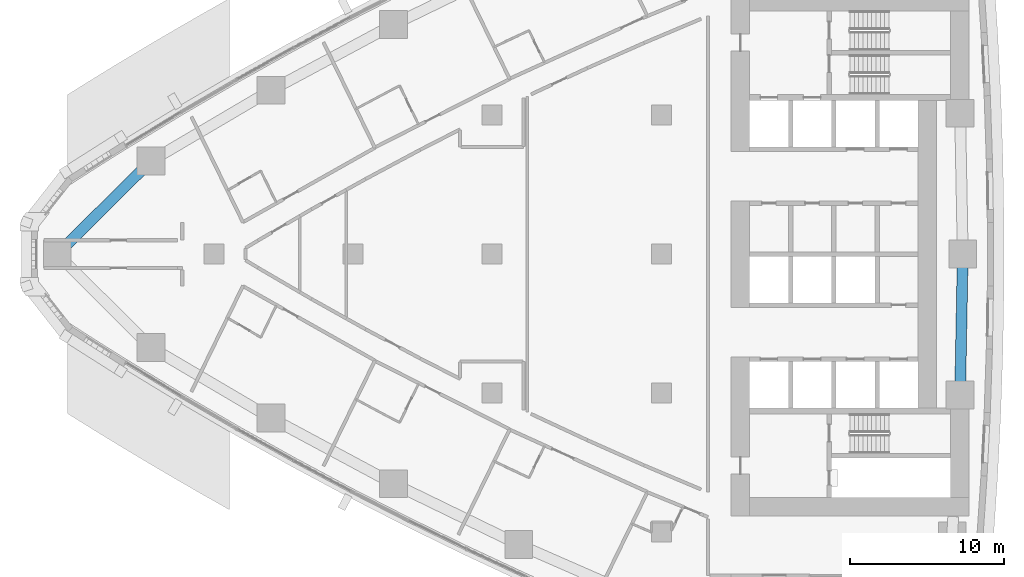
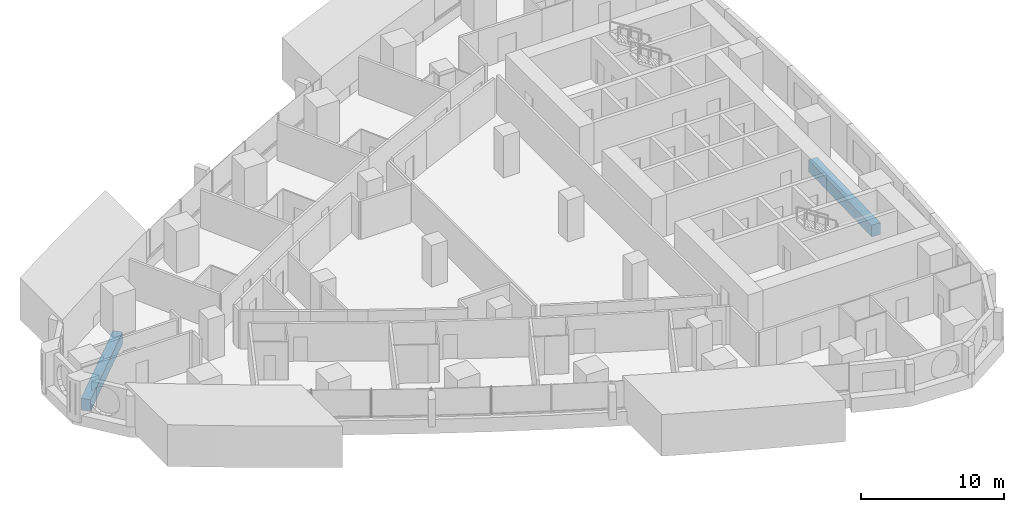
# One storey, part 4 of 19: 2 beams.
"""IFC4 building model written with IfcOpenShell, lengths in metres."""

from ifc_helpers import new_model, si_unit, direction, frame, origin, origin_2d, place, context, subcontext, project, spatial, rectangle, extrude, material, material_profile, profile_set, type_object, element, save


model = new_model("IFC4")

# Units and contexts
model_context = context("Model", 3, precision=1e-05, world=origin(), true_north=direction((0.0, 1.0)))
body_context = subcontext(model_context, "Body", "Model", "MODEL_VIEW")
ifc_project = project(units=[si_unit("LENGTHUNIT", "METRE"), si_unit("AREAUNIT", "SQUARE_METRE"), si_unit("VOLUMEUNIT", "CUBIC_METRE"), si_unit("PLANEANGLEUNIT", "RADIAN"), si_unit("MASSUNIT", "GRAM", prefix="KILO")], contexts=[model_context])

# Site, building, storey
site_placement = place(None, origin())
site = spatial("IfcSite", under=ifc_project, at=site_placement, CompositionType="ELEMENT")
building_placement = place(site_placement, origin())
building = spatial("IfcBuilding", under=site, at=building_placement, Name="Ostrand Prow Hotel Tower", CompositionType="ELEMENT")
storey_placement = place(building_placement, frame((0.0, 0.0, 64.449951171875)))
storey = spatial("IfcBuildingStorey", under=building, at=storey_placement, Name="L14", CompositionType="ELEMENT", Elevation=64.449951171875)

# Beams
ifc_material = material(Name="Concrete C80/95", Category="concrete")
ifc_material_profile = material_profile(ifc_material, rectangle(XDim=0.699951171875, YDim=1.0, at=origin_2d()), Name="RC 700x1000")
ifc_profile_set = profile_set([ifc_material_profile], Name="Concrete C80/95")
beam_type = type_object("IfcBeamType", Name="Edge beam 700x1000 C80/95", PredefinedType="SPANDREL", material=ifc_profile_set)
beam_1_placement = place(storey_placement, frame((64.328369140625, -9.130859375, -0.800048828125), z_axis=(0.018793471688, 0.999823387115, 0.0), x_axis=(-0.999823387115, 0.018793471688, 0.0)))
element("IfcBeam", 1, at=beam_1_placement, inside=storey, type_object=beam_type, Name="Edge beam B2-B3", PredefinedType="SPANDREL", context=body_context, shape_type="SweptSolid", body=[
    extrude(rectangle(XDim=0.699951171875, YDim=1.0, at=origin_2d()), origin(), (0.0, 0.0, 1.0), 9.132568359375),
])
beam_2_placement = place(storey_placement, frame((11.926513671875, 6.0419921875, -0.800048828125), z_axis=(-0.709211674915, -0.70499560294, 0.0), x_axis=(0.70499560294, -0.709211674915, 0.0)))
element("IfcBeam", 2, at=beam_2_placement, inside=storey, type_object=beam_type, Name="Edge beam N6-P", PredefinedType="SPANDREL", context=body_context, shape_type="SweptSolid", body=[
    extrude(rectangle(XDim=0.699951171875, YDim=1.0, at=origin_2d()), origin(), (0.0, 0.0, 1.0), 8.5703125),
])

save(model, "model.ifc")
